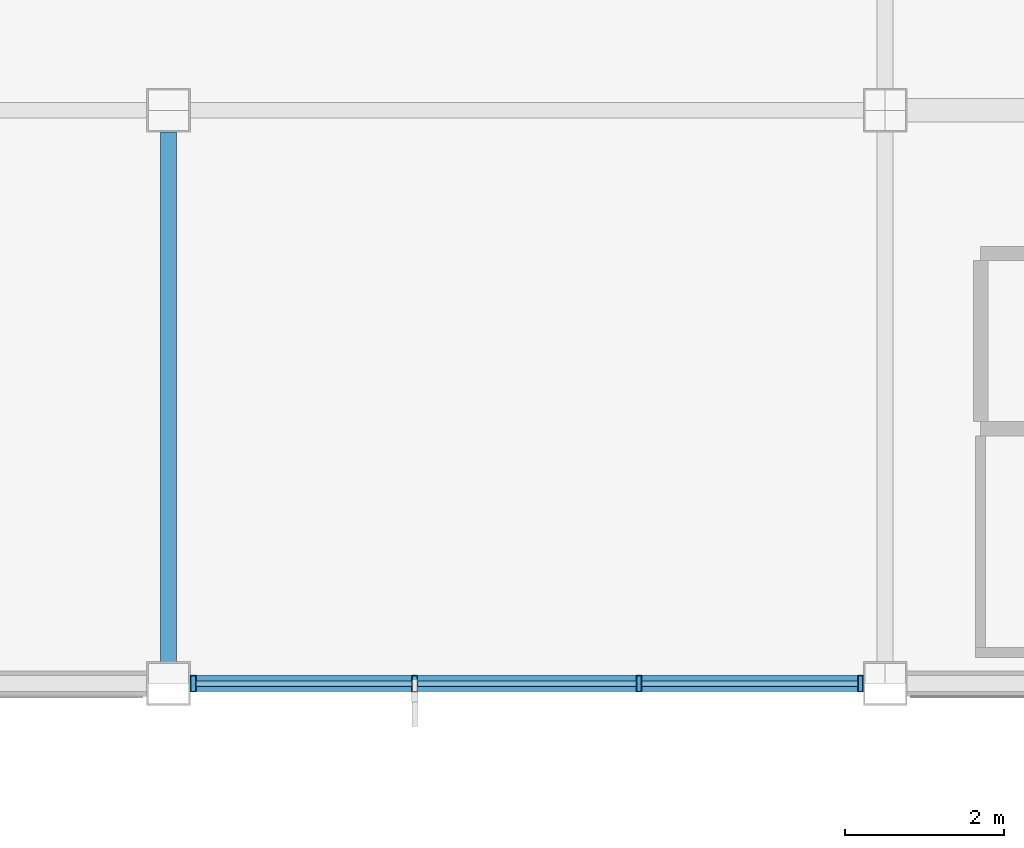
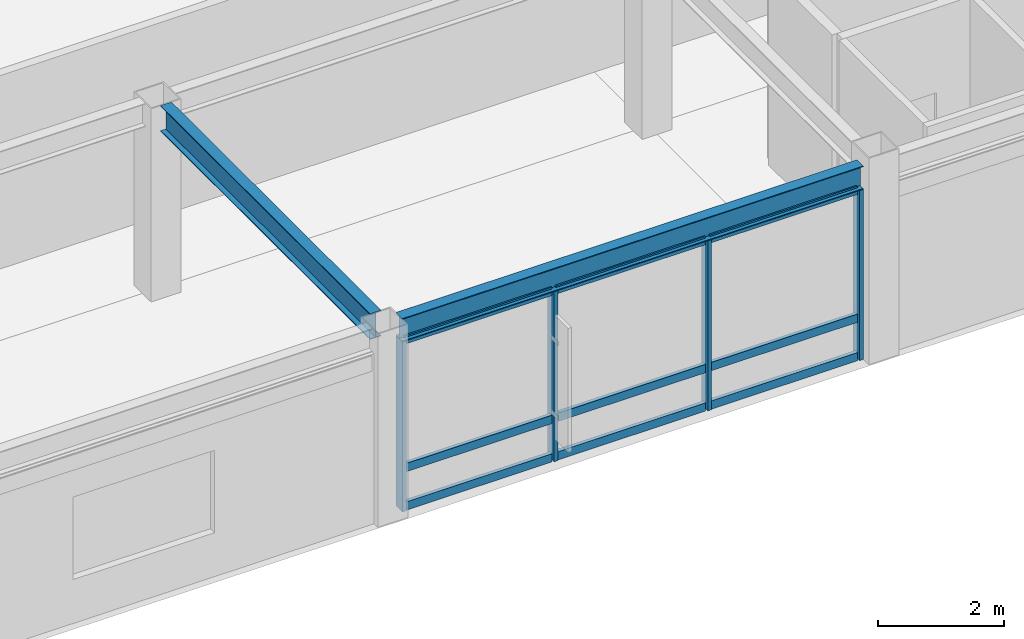
# One storey, part 67 of 113: 13 members, 2 beams, 1 element without a shape of its own.
"""IFC4 building model written with IfcOpenShell, lengths in metres."""

import ifcopenshell
import ifcopenshell.guid

model = None  # the IFC model being written
_history = None  # IfcOwnerHistory: only IFC2X3 demands one
_inside = {}  # id of a spatial element -> (the spatial element, [elements in it])
_under = {}  # id of a project, library or spatial element -> (it, [spatial elements below it])
_declared = {}  # id of a project -> (the project, [libraries it declares])
_typed = {}  # id of a type object -> (the type object, [elements of that type])
_made_of = {}  # id of a material, layer set ... -> (it, [elements and type objects made of it])


def new_model(schema):
    """Start an empty IFC model of exactly this schema.

    Asked for "IFC4X3", IfcOpenShell would pick the latest addendum, in which some entities
    have other attributes; the version numbers below select the first issue.
    IFC2X3 requires an IfcOwnerHistory on every rooted entity: one is made here for all.
    """
    global model, _history
    if schema == "IFC4X3":
        model = ifcopenshell.file(schema_version=(4, 3, 0, 0))
    else:
        model = ifcopenshell.file(schema=schema)
    _inside.clear()
    _under.clear()
    _declared.clear()
    _typed.clear()
    _made_of.clear()
    _history = None
    if model.schema == "IFC2X3":
        org = make("IfcOrganization", Name="unknown")
        user = make(
            "IfcPersonAndOrganization",
            ThePerson=make("IfcPerson", FamilyName="unknown"),
            TheOrganization=org,
        )
        app = make(
            "IfcApplication",
            ApplicationDeveloper=org,
            Version="unknown",
            ApplicationFullName="unknown",
            ApplicationIdentifier="unknown",
        )
        _history = make(
            "IfcOwnerHistory",
            OwningUser=user,
            OwningApplication=app,
            ChangeAction="ADDED",
            CreationDate=0,
        )
    return model


def make(cls, **values):
    """One entity of the class cls with the attributes given. An attribute that is None is left unset."""
    return model.create_entity(
        cls, **{name: value for name, value in values.items() if value is not None}
    )


def rooted(cls, **values):
    """An entity with a GlobalId (a new one), such as an element, a storey or a relation."""
    return make(cls, GlobalId=ifcopenshell.guid.new(), OwnerHistory=_history, **values)


def si_unit(unit_type, name, prefix=None):
    """IfcSIUnit, for example si_unit("LENGTHUNIT", "METRE", prefix="MILLI")."""
    return make("IfcSIUnit", UnitType=unit_type, Prefix=prefix, Name=name)


def assignment(units):
    """IfcUnitAssignment: the units of a project."""
    return None if units is None else make("IfcUnitAssignment", Units=units)


def point(xyz):
    """IfcCartesianPoint."""
    return None if xyz is None else make("IfcCartesianPoint", Coordinates=xyz)


def direction(xyz):
    """IfcDirection."""
    return None if xyz is None else make("IfcDirection", DirectionRatios=xyz)


def frame(location, z_axis=None, x_axis=None):
    """IfcAxis2Placement3D, a coordinate frame: its origin and axes. An axis left out is left unset."""
    return make(
        "IfcAxis2Placement3D",
        Location=point(location),
        Axis=direction(z_axis),
        RefDirection=direction(x_axis),
    )


def frame_2d(location, x_axis=None):
    """IfcAxis2Placement2D, a coordinate frame in the plane: its origin and x axis."""
    return make(
        "IfcAxis2Placement2D", Location=point(location), RefDirection=direction(x_axis)
    )


def origin():
    """The frame at (0, 0, 0) with its axes left unset."""
    return frame((0.0, 0.0, 0.0))


def origin_2d():
    """The frame at (0, 0) in the plane with its x axis left unset."""
    return frame_2d((0.0, 0.0))


def place(relative_to, where):
    """IfcLocalPlacement: puts the frame where relative to a parent placement (None: the world)."""
    return make(
        "IfcLocalPlacement", PlacementRelTo=relative_to, RelativePlacement=where
    )


def context(
    kind, dimensions, precision=None, world=None, true_north=None, identifier=None
):
    """IfcGeometricRepresentationContext, for example the 3D "Model" context."""
    return make(
        "IfcGeometricRepresentationContext",
        ContextIdentifier=identifier,
        ContextType=kind,
        CoordinateSpaceDimension=dimensions,
        Precision=precision,
        WorldCoordinateSystem=world,
        TrueNorth=true_north,
    )


def subcontext(parent, identifier, kind, view, scale=None):
    """IfcGeometricRepresentationSubContext, for example "Body" below "Model"."""
    return make(
        "IfcGeometricRepresentationSubContext",
        ContextIdentifier=identifier,
        ContextType=kind,
        ParentContext=parent,
        TargetScale=scale,
        TargetView=view,
    )


def project(units=None, contexts=None):
    """IfcProject with its units and contexts."""
    return rooted(
        "IfcProject",
        Name="project",
        RepresentationContexts=contexts,
        UnitsInContext=assignment(units),
    )


def spatial(cls, under=None, at=None, **own):
    """A site, building, storey or space (cls), placed at a placement, below another one or the project."""
    s = rooted(cls, ObjectPlacement=at, **own)
    if under is not None:
        _under.setdefault(under.id(), (under, []))[1].append(s)
    return s


def profile(cls, at=None, kind="AREA", **sizes):
    """A parametric profile (cls). Its sizes go by their IFC names, for example OverallWidth=200.0."""
    return make(cls, ProfileType=kind, Position=at, **sizes)


def hollow_rectangle(**sizes):
    """IfcRectangleHollowProfileDef."""
    return profile("IfcRectangleHollowProfileDef", **sizes)


def i_section(**sizes):
    """IfcIShapeProfileDef."""
    return profile("IfcIShapeProfileDef", **sizes)


def extrude(swept, where, along, depth):
    """IfcExtrudedAreaSolid: the profile swept, set in the frame where, extruded along a direction by depth."""
    return make(
        "IfcExtrudedAreaSolid",
        SweptArea=swept,
        Position=where,
        ExtrudedDirection=direction(along),
        Depth=depth,
    )


def shape(context_of_items, identifier, shape_type, items):
    """IfcShapeRepresentation: the items that make up one representation, for example the "Body"."""
    return make(
        "IfcShapeRepresentation",
        ContextOfItems=context_of_items,
        RepresentationIdentifier=identifier,
        RepresentationType=shape_type,
        Items=items,
    )


def material(Name=None, Category=None):
    """IfcMaterial."""
    return make("IfcMaterial", Name=Name, Category=Category)


def material_profile(
    of_material, cross_section, Name=None, Category=None, Priority=None
):
    """IfcMaterialProfile: a cross section and its material."""
    return make(
        "IfcMaterialProfile",
        Name=Name,
        Material=of_material,
        Profile=cross_section,
        Priority=Priority,
        Category=Category,
    )


def profile_set(profiles, Name=None, composite=None):
    """IfcMaterialProfileSet."""
    return make(
        "IfcMaterialProfileSet",
        Name=Name,
        MaterialProfiles=profiles,
        CompositeProfile=composite,
    )


def made_of(thing, what):
    """Note that an element or type object is made of a material, layer set ...; save() writes the relation."""
    if what is not None:
        _made_of.setdefault(what.id(), (what, []))[1].append(thing)
    return thing


def type_object(cls, material=None, **own):
    """A type object (cls), such as IfcWallType, which elements share."""
    return made_of(rooted(cls, **own), material)


def element(
    cls,
    number,
    at=None,
    inside=None,
    cuts=None,
    type_object=None,
    material=None,
    context=None,
    identifier="Body",
    shape_type=None,
    held_by="IfcProductDefinitionShape",
    body=None,
    shapes=None,
    **own,
):
    """One element of the class cls, such as IfcWall. Its Tag is "e" and its number.

    at: its placement. inside: the storey or other place that contains it. cuts: it is an
    opening in that element (IfcRelVoidsElement). A single representation is given by context,
    identifier, shape_type and body (its items); several are given by shapes. held_by: the class
    of the entity that holds the representations. save() writes the other relations.
    """
    e = rooted(cls, Tag="e%d" % number, ObjectPlacement=at, **own)
    if body is not None:
        shapes = [shape(context, identifier, shape_type, body)]
    if shapes is not None:
        e.Representation = make(held_by, Representations=shapes)
    if inside is not None:
        _inside.setdefault(inside.id(), (inside, []))[1].append(e)
    if cuts is not None:
        rooted(
            "IfcRelVoidsElement", RelatingBuildingElement=cuts, RelatedOpeningElement=e
        )
    if type_object is not None:
        _typed.setdefault(type_object.id(), (type_object, []))[1].append(e)
    return made_of(e, material)


def aggregate(whole, parts):
    """IfcRelAggregates: a whole, such as a stair, and the parts it consists of."""
    return rooted("IfcRelAggregates", RelatingObject=whole, RelatedObjects=parts)


def save(model, path):
    """Write the relations noted so far, then the file.

    IfcRelAggregates (storeys below a building ...), IfcRelContainedInSpatialStructure (elements
    in a storey), IfcRelDefinesByType, IfcRelAssociatesMaterial and IfcRelDeclares: one each for
    every whole, place, type object, material and project.
    """
    for whole, parts in _under.values():
        aggregate(whole, parts)
    for where, things in _inside.values():
        rooted(
            "IfcRelContainedInSpatialStructure",
            RelatedElements=things,
            RelatingStructure=where,
        )
    for kind, things in _typed.values():
        rooted("IfcRelDefinesByType", RelatedObjects=things, RelatingType=kind)
    for what, things in _made_of.values():
        rooted("IfcRelAssociatesMaterial", RelatedObjects=things, RelatingMaterial=what)
    for by, libraries in _declared.values():
        rooted("IfcRelDeclares", RelatingContext=by, RelatedDefinitions=libraries)
    model.write(path)


model = new_model("IFC4")

# Units and contexts
model_context = context("Model", 3, precision=1e-05, world=origin(), true_north=direction((0.0, 1.0)))
body_context = subcontext(model_context, "Body", "Model", "MODEL_VIEW")
ifc_project = project(units=[si_unit("LENGTHUNIT", "METRE"), si_unit("AREAUNIT", "SQUARE_METRE"), si_unit("VOLUMEUNIT", "CUBIC_METRE"), si_unit("PLANEANGLEUNIT", "RADIAN"), si_unit("MASSUNIT", "GRAM", prefix="KILO")], contexts=[model_context])

# Site, building, storey
site_placement = place(None, origin())
site = spatial("IfcSite", under=ifc_project, at=site_placement, CompositionType="ELEMENT")
building_placement = place(site_placement, origin())
building = spatial("IfcBuilding", under=site, at=building_placement, Name="Kazanami Central Library", CompositionType="ELEMENT")
storey_placement = place(building_placement, frame((0.0, 0.0, 8.800048828125)))
storey = spatial("IfcBuildingStorey", under=building, at=storey_placement, Name="L03", CompositionType="ELEMENT", Elevation=8.800048828125)

# Beams
ifc_material_1 = material(Name="Steel SN490B (325 MPa)", Category="steel")
ifc_material_profile_1 = material_profile(ifc_material_1, i_section(OverallWidth=0.199951171875, OverallDepth=0.5, WebThickness=0.010009765625, FlangeThickness=0.01611328125, at=origin_2d()), Name="H-500x200x10x16")
ifc_profile_set_1 = profile_set([ifc_material_profile_1], Name="Steel SN490B (325 MPa)")
beam_type_1 = type_object("IfcBeamType", Name="BM-G-Y2", PredefinedType="BEAM", material=ifc_profile_set_1)
beam_1_placement = place(storey_placement, frame((81.0, 65.072998046875, 3.494873046875), z_axis=(0.0, 1.0, 0.0), x_axis=(-1.0, 0.0, 0.0)))
element("IfcBeam", 1, at=beam_1_placement, inside=storey, type_object=beam_type_1, Name="Girder G-Y2 L03 10/K-L", PredefinedType="BEAM", context=body_context, shape_type="SweptSolid", body=[
    extrude(i_section(OverallWidth=0.199951171875, OverallDepth=0.5, WebThickness=0.010009765625, FlangeThickness=0.01611328125, at=origin_2d()), origin(), (0.0, 0.0, 1.0), 6.654052734375),
])
ifc_material_profile_2 = material_profile(ifc_material_1, i_section(OverallWidth=0.199951171875, OverallDepth=0.449951171875, WebThickness=0.009033203125, FlangeThickness=0.013916015625, at=origin_2d()), Name="H-450x200x9x14")
ifc_profile_set_2 = profile_set([ifc_material_profile_2], Name="Steel SN490B (325 MPa)")
beam_type_2 = type_object("IfcBeamType", Name="BM-SP-2", PredefinedType="SPANDREL", material=ifc_profile_set_2)
beam_2_placement = place(storey_placement, frame((81.27294921875, 64.800048828125, 3.52001953125), z_axis=(1.0, 0.0, 0.0), x_axis=(0.0, 1.0, 0.0)))
element("IfcBeam", 2, at=beam_2_placement, inside=storey, type_object=beam_type_2, Name="Girder SP-2 L03 K/10-11", PredefinedType="SPANDREL", context=body_context, shape_type="SweptSolid", body=[
    extrude(i_section(OverallWidth=0.199951171875, OverallDepth=0.449951171875, WebThickness=0.009033203125, FlangeThickness=0.013916015625, at=origin_2d()), origin(), (0.0, 0.0, 1.0), 8.4541015625),
])

# Curtain wall, members
ifc_material_2 = material(Name="Acid-Etched Low-E Laminated Glass", Category="glass")
curtain_wall_type = type_object("IfcCurtainWallType", Name="CW-8450x3295-M275", PredefinedType="USERDEFINED", material=ifc_material_2)
curtain_wall_placement = place(storey_placement, origin())
curtain_wall = element("IfcCurtainWall", 3, at=curtain_wall_placement, inside=storey, type_object=curtain_wall_type, Name="Unitised Curtain Wall CW-29 L03 S-K-09", ObjectType="UNITISED CURTAIN WALL", PredefinedType="USERDEFINED")
ifc_material_3 = material(Name="Anodised Aluminium A6063-T5", Category="aluminium")
ifc_material_profile_3 = material_profile(ifc_material_3, hollow_rectangle(XDim=0.070068359375, YDim=0.2099609375, WallThickness=0.0048828125, at=origin_2d()), Name="ALU-MULL-70x210x5")
ifc_profile_set_3 = profile_set([ifc_material_profile_3], Name="Anodised Aluminium A6063-T5")
member_type_1 = type_object("IfcMemberType", Name="MEM-CW-M1", PredefinedType="MULLION", material=ifc_profile_set_3)
member_1_placement = place(storey_placement, frame((81.31005859375, 64.800048828125, 0.0), z_axis=(0.0, 0.0, 1.0), x_axis=(1.0, 0.0, 0.0)))
member_1 = element("IfcMember", 4, at=member_1_placement, type_object=member_type_1, Name="CW-29 mullion 1", PredefinedType="MULLION", context=body_context, shape_type="SweptSolid", body=[
    extrude(hollow_rectangle(XDim=0.070068359375, YDim=0.2099609375, WallThickness=0.0048828125, at=origin_2d()), origin(), (0.0, 0.0, 1.0), 3.294921875),
])
member_2_placement = place(storey_placement, frame((84.091552734375, 64.800048828125, 0.0), z_axis=(0.0, 0.0, 1.0), x_axis=(1.0, 0.0, 0.0)))
member_2 = element("IfcMember", 5, at=member_2_placement, type_object=member_type_1, Name="CW-29 mullion 2", PredefinedType="MULLION", context=body_context, shape_type="SweptSolid", body=[
    extrude(hollow_rectangle(XDim=0.070068359375, YDim=0.2099609375, WallThickness=0.0048828125, at=origin_2d()), origin(), (0.0, 0.0, 1.0), 3.294921875),
])
member_3_placement = place(storey_placement, frame((86.908447265625, 64.800048828125, 0.0), z_axis=(0.0, 0.0, 1.0), x_axis=(1.0, 0.0, 0.0)))
member_3 = element("IfcMember", 6, at=member_3_placement, type_object=member_type_1, Name="CW-29 mullion 3", PredefinedType="MULLION", context=body_context, shape_type="SweptSolid", body=[
    extrude(hollow_rectangle(XDim=0.070068359375, YDim=0.2099609375, WallThickness=0.0048828125, at=origin_2d()), origin(), (0.0, 0.0, 1.0), 3.294921875),
])
member_4_placement = place(storey_placement, frame((89.68994140625, 64.800048828125, 0.0), z_axis=(0.0, 0.0, 1.0), x_axis=(1.0, 0.0, 0.0)))
member_4 = element("IfcMember", 7, at=member_4_placement, type_object=member_type_1, Name="CW-29 mullion 4", PredefinedType="MULLION", context=body_context, shape_type="SweptSolid", body=[
    extrude(hollow_rectangle(XDim=0.070068359375, YDim=0.2099609375, WallThickness=0.0048828125, at=origin_2d()), origin(), (0.0, 0.0, 1.0), 3.294921875),
])
ifc_material_profile_4 = material_profile(ifc_material_3, hollow_rectangle(XDim=0.070068359375, YDim=0.159912109375, WallThickness=0.00390625, at=origin_2d()), Name="ALU-TRAN-70x160x4")
ifc_profile_set_4 = profile_set([ifc_material_profile_4], Name="Anodised Aluminium A6063-T5")
member_type_2 = type_object("IfcMemberType", Name="MEM-CW-T1", PredefinedType="USERDEFINED", material=ifc_profile_set_4)
member_5_placement = place(storey_placement, frame((81.344970703125, 64.800048828125, 0.034912109375), z_axis=(1.0, 0.0, 0.0), x_axis=(0.0, 1.0, 0.0)))
member_5 = element("IfcMember", 8, at=member_5_placement, type_object=member_type_2, Name="CW-29 transom 1.1", ObjectType="TRANSOM", PredefinedType="USERDEFINED", context=body_context, shape_type="SweptSolid", body=[
    extrude(hollow_rectangle(XDim=0.070068359375, YDim=0.159912109375, WallThickness=0.00390625, at=origin_2d()), origin(), (0.0, 0.0, 1.0), 2.711669921875),
])
member_6_placement = place(storey_placement, frame((81.344970703125, 64.800048828125, 0.780029296875), z_axis=(1.0, 0.0, 0.0), x_axis=(0.0, 1.0, 0.0)))
member_6 = element("IfcMember", 9, at=member_6_placement, type_object=member_type_2, Name="CW-29 transom 1.2", ObjectType="TRANSOM", PredefinedType="USERDEFINED", context=body_context, shape_type="SweptSolid", body=[
    extrude(hollow_rectangle(XDim=0.070068359375, YDim=0.159912109375, WallThickness=0.00390625, at=origin_2d()), origin(), (0.0, 0.0, 1.0), 2.711669921875),
])
member_7_placement = place(storey_placement, frame((81.344970703125, 64.800048828125, 3.260009765625), z_axis=(1.0, 0.0, 0.0), x_axis=(0.0, 1.0, 0.0)))
member_7 = element("IfcMember", 10, at=member_7_placement, type_object=member_type_2, Name="CW-29 transom 1.3", ObjectType="TRANSOM", PredefinedType="USERDEFINED", context=body_context, shape_type="SweptSolid", body=[
    extrude(hollow_rectangle(XDim=0.070068359375, YDim=0.159912109375, WallThickness=0.00390625, at=origin_2d()), origin(), (0.0, 0.0, 1.0), 2.711669921875),
])
member_8_placement = place(storey_placement, frame((84.126708984375, 64.800048828125, 0.034912109375), z_axis=(1.0, 0.0, 0.0), x_axis=(0.0, 1.0, 0.0)))
member_8 = element("IfcMember", 11, at=member_8_placement, type_object=member_type_2, Name="CW-29 transom 2.1", ObjectType="TRANSOM", PredefinedType="USERDEFINED", context=body_context, shape_type="SweptSolid", body=[
    extrude(hollow_rectangle(XDim=0.070068359375, YDim=0.159912109375, WallThickness=0.00390625, at=origin_2d()), origin(), (0.0, 0.0, 1.0), 2.74658203125),
])
member_9_placement = place(storey_placement, frame((84.126708984375, 64.800048828125, 0.780029296875), z_axis=(1.0, 0.0, 0.0), x_axis=(0.0, 1.0, 0.0)))
member_9 = element("IfcMember", 12, at=member_9_placement, type_object=member_type_2, Name="CW-29 transom 2.2", ObjectType="TRANSOM", PredefinedType="USERDEFINED", context=body_context, shape_type="SweptSolid", body=[
    extrude(hollow_rectangle(XDim=0.070068359375, YDim=0.159912109375, WallThickness=0.00390625, at=origin_2d()), origin(), (0.0, 0.0, 1.0), 2.74658203125),
])
member_10_placement = place(storey_placement, frame((84.126708984375, 64.800048828125, 3.260009765625), z_axis=(1.0, 0.0, 0.0), x_axis=(0.0, 1.0, 0.0)))
member_10 = element("IfcMember", 13, at=member_10_placement, type_object=member_type_2, Name="CW-29 transom 2.3", ObjectType="TRANSOM", PredefinedType="USERDEFINED", context=body_context, shape_type="SweptSolid", body=[
    extrude(hollow_rectangle(XDim=0.070068359375, YDim=0.159912109375, WallThickness=0.00390625, at=origin_2d()), origin(), (0.0, 0.0, 1.0), 2.74658203125),
])
member_11_placement = place(storey_placement, frame((86.943359375, 64.800048828125, 0.034912109375), z_axis=(1.0, 0.0, 0.0), x_axis=(0.0, 1.0, 0.0)))
member_11 = element("IfcMember", 14, at=member_11_placement, type_object=member_type_2, Name="CW-29 transom 3.1", ObjectType="TRANSOM", PredefinedType="USERDEFINED", context=body_context, shape_type="SweptSolid", body=[
    extrude(hollow_rectangle(XDim=0.070068359375, YDim=0.159912109375, WallThickness=0.00390625, at=origin_2d()), origin(), (0.0, 0.0, 1.0), 2.711669921875),
])
member_12_placement = place(storey_placement, frame((86.943359375, 64.800048828125, 0.780029296875), z_axis=(1.0, 0.0, 0.0), x_axis=(0.0, 1.0, 0.0)))
member_12 = element("IfcMember", 15, at=member_12_placement, type_object=member_type_2, Name="CW-29 transom 3.2", ObjectType="TRANSOM", PredefinedType="USERDEFINED", context=body_context, shape_type="SweptSolid", body=[
    extrude(hollow_rectangle(XDim=0.070068359375, YDim=0.159912109375, WallThickness=0.00390625, at=origin_2d()), origin(), (0.0, 0.0, 1.0), 2.711669921875),
])
member_13_placement = place(storey_placement, frame((86.943359375, 64.800048828125, 3.260009765625), z_axis=(1.0, 0.0, 0.0), x_axis=(0.0, 1.0, 0.0)))
member_13 = element("IfcMember", 16, at=member_13_placement, type_object=member_type_2, Name="CW-29 transom 3.3", ObjectType="TRANSOM", PredefinedType="USERDEFINED", context=body_context, shape_type="SweptSolid", body=[
    extrude(hollow_rectangle(XDim=0.070068359375, YDim=0.159912109375, WallThickness=0.00390625, at=origin_2d()), origin(), (0.0, 0.0, 1.0), 2.711669921875),
])
aggregate(curtain_wall, [member_1, member_2, member_3, member_4, member_5, member_6, member_7, member_8, member_9, member_10, member_11, member_12, member_13])

save(model, "model.ifc")
